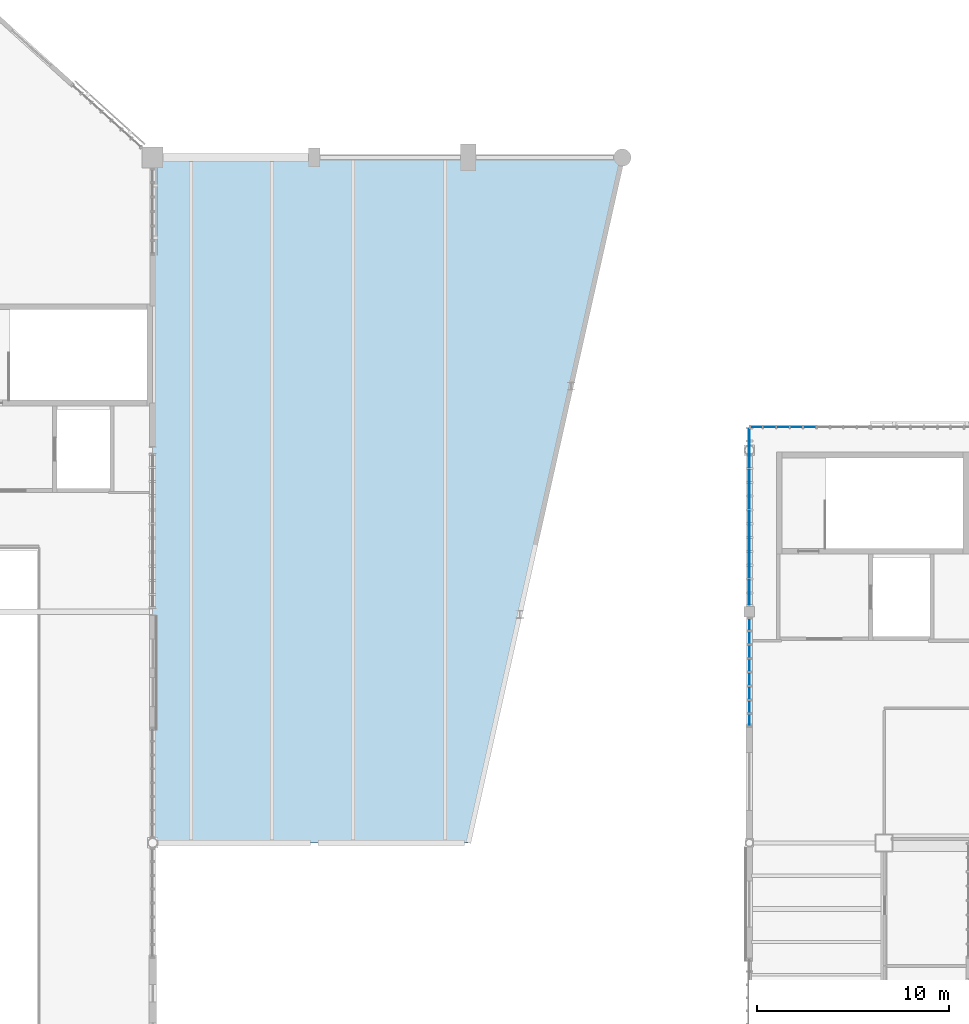
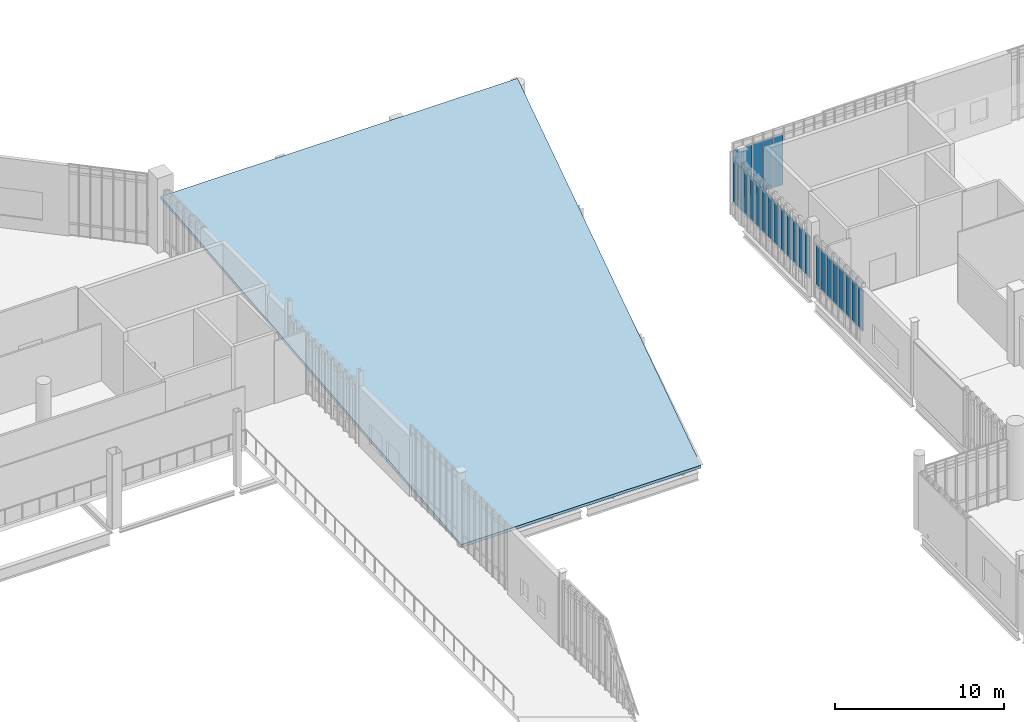
# One storey, part 83 of 135: 26 plates, 1 slab, 3 elements without a shape of their own.
"""IFC4 building model written with IfcOpenShell, lengths in metres."""

from ifc_helpers import new_model, si_unit, direction, frame, origin, origin_2d, place, context, subcontext, project, spatial, polyline, rectangle, outline, extrude, material, layer, layer_set, type_object, element, aggregate, save


model = new_model("IFC4")

# Units and contexts
model_context = context("Model", 3, precision=1e-05, world=origin(), true_north=direction((0.0, 1.0)))
body_context = subcontext(model_context, "Body", "Model", "MODEL_VIEW")
ifc_project = project(units=[si_unit("LENGTHUNIT", "METRE"), si_unit("AREAUNIT", "SQUARE_METRE"), si_unit("VOLUMEUNIT", "CUBIC_METRE"), si_unit("PLANEANGLEUNIT", "RADIAN"), si_unit("MASSUNIT", "GRAM", prefix="KILO")], contexts=[model_context])

# Site, building, storey
site_placement = place(None, origin())
site = spatial("IfcSite", under=ifc_project, at=site_placement, CompositionType="ELEMENT")
building_placement = place(site_placement, origin())
building = spatial("IfcBuilding", under=site, at=building_placement, Name="Larkvane Passage Sports Hall", CompositionType="ELEMENT")
storey_placement = place(building_placement, frame((0.0, 0.0, 16.800048828125)))
storey = spatial("IfcBuildingStorey", under=building, at=storey_placement, Name="L03", CompositionType="ELEMENT", Elevation=16.800048828125)

# Curtain wall, plates
ifc_material_1 = material(Name="Thermally broken aluminium and low-E glazing", Category="aluminium")
curtain_wall_type_1 = type_object("IfcCurtainWallType", Name="CW-UNIT-COURT", PredefinedType="USERDEFINED", material=ifc_material_1)
curtain_wall_1_placement = place(storey_placement, origin())
curtain_wall_1 = element("IfcCurtainWall", 1, at=curtain_wall_1_placement, inside=storey, type_object=curtain_wall_type_1, Name="Curtain wall CW5-L03-104", ObjectType="UNITISED CURTAIN WALL", PredefinedType="USERDEFINED")
ifc_material_2 = material(Name="Solar-control low-E double glazing", Category="glass")
ifc_layer_1 = layer(ifc_material_2, 0.028076171875)
ifc_layer_set_1 = layer_set([ifc_layer_1], Name="Solar-control low-E double glazing")
plate_type_1 = type_object("IfcPlateType", Name="CWP-VIS-28", PredefinedType="CURTAIN_PANEL", material=ifc_layer_set_1)
plate_1_placement = place(storey_placement, frame((124.96484375, 85.199951171875, 0.88232421875), z_axis=(0.0, 0.0, 1.0), x_axis=(1.0, 0.0, 0.0)))
plate_1 = element("IfcPlate", 2, at=plate_1_placement, type_object=plate_type_1, Name="CW-01 panel 1.2", PredefinedType="CURTAIN_PANEL", context=body_context, shape_type="SweptSolid", body=[
    extrude(rectangle(XDim=0.599609375, YDim=0.028076171875, at=origin_2d()), origin(), (0.0, 0.0, 1.0), 3.635009765625),
])
plate_2_placement = place(storey_placement, frame((125.645751953125, 85.199951171875, 0.88232421875), z_axis=(0.0, 0.0, 1.0), x_axis=(1.0, 0.0, 0.0)))
plate_2 = element("IfcPlate", 3, at=plate_2_placement, type_object=plate_type_1, Name="CW-01 panel 2.2", PredefinedType="CURTAIN_PANEL", context=body_context, shape_type="SweptSolid", body=[
    extrude(rectangle(XDim=0.63232421875, YDim=0.028076171875, at=origin_2d()), origin(), (0.0, 0.0, 1.0), 3.635009765625),
])
plate_3_placement = place(storey_placement, frame((126.343017578125, 85.199951171875, 0.88232421875), z_axis=(0.0, 0.0, 1.0), x_axis=(1.0, 0.0, 0.0)))
plate_3 = element("IfcPlate", 4, at=plate_3_placement, type_object=plate_type_1, Name="CW-01 panel 3.2", PredefinedType="CURTAIN_PANEL", context=body_context, shape_type="SweptSolid", body=[
    extrude(rectangle(XDim=0.63232421875, YDim=0.028076171875, at=origin_2d()), origin(), (0.0, 0.0, 1.0), 3.635009765625),
])
plate_4_placement = place(storey_placement, frame((127.040283203125, 85.199951171875, 0.88232421875), z_axis=(0.0, 0.0, 1.0), x_axis=(1.0, 0.0, 0.0)))
plate_4 = element("IfcPlate", 5, at=plate_4_placement, type_object=plate_type_1, Name="CW-01 panel 4.2", PredefinedType="CURTAIN_PANEL", context=body_context, shape_type="SweptSolid", body=[
    extrude(rectangle(XDim=0.63232421875, YDim=0.028076171875, at=origin_2d()), origin(), (0.0, 0.0, 1.0), 3.635009765625),
])
plate_5_placement = place(storey_placement, frame((127.737548828125, 85.199951171875, 0.88232421875), z_axis=(0.0, 0.0, 1.0), x_axis=(1.0, 0.0, 0.0)))
plate_5 = element("IfcPlate", 6, at=plate_5_placement, type_object=plate_type_1, Name="CW-01 panel 5.2", PredefinedType="CURTAIN_PANEL", context=body_context, shape_type="SweptSolid", body=[
    extrude(rectangle(XDim=0.63232421875, YDim=0.028076171875, at=origin_2d()), origin(), (0.0, 0.0, 1.0), 3.635009765625),
])
aggregate(curtain_wall_1, [plate_1, plate_2, plate_3, plate_4, plate_5])

curtain_wall_type_2 = type_object("IfcCurtainWallType", Name="CW-STICK-FOYER", PredefinedType="USERDEFINED", material=ifc_material_1)
curtain_wall_2_placement = place(storey_placement, origin())
curtain_wall_2 = element("IfcCurtainWall", 7, at=curtain_wall_2_placement, inside=storey, type_object=curtain_wall_type_2, Name="Curtain wall CW5-L03-102", ObjectType="STICK CURTAIN WALL", PredefinedType="USERDEFINED")
ifc_material_3 = material(Name="High-impact court low-E glazing", Category="glass")
ifc_layer_2 = layer(ifc_material_3, 0.035888671875)
ifc_layer_set_2 = layer_set([ifc_layer_2], Name="High-impact court low-E glazing")
plate_type_2 = type_object("IfcPlateType", Name="CWP-VIS-36", PredefinedType="CURTAIN_PANEL", material=ifc_layer_set_2)
plate_6_placement = place(storey_placement, frame((124.60009765625, 69.97802734375, 0.89013671875), z_axis=(0.0, 0.0, 1.0), x_axis=(0.0, 1.0, 0.0)))
plate_6 = element("IfcPlate", 8, at=plate_6_placement, type_object=plate_type_2, Name="CW-03 panel 1.2", PredefinedType="CURTAIN_PANEL", context=body_context, shape_type="SweptSolid", body=[
    extrude(rectangle(XDim=0.59619140625, YDim=0.035888671875, at=origin_2d()), origin(), (0.0, 0.0, 1.0), 2.927978515625),
])
plate_7_placement = place(storey_placement, frame((124.60009765625, 70.674072265625, 0.89013671875), z_axis=(0.0, 0.0, 1.0), x_axis=(0.0, 1.0, 0.0)))
plate_7 = element("IfcPlate", 9, at=plate_7_placement, type_object=plate_type_2, Name="CW-03 panel 2.2", PredefinedType="CURTAIN_PANEL", context=body_context, shape_type="SweptSolid", body=[
    extrude(rectangle(XDim=0.63623046875, YDim=0.035888671875, at=origin_2d()), origin(), (0.0, 0.0, 1.0), 2.927978515625),
])
plate_8_placement = place(storey_placement, frame((124.60009765625, 71.390380859375, 0.89013671875), z_axis=(0.0, 0.0, 1.0), x_axis=(0.0, 1.0, 0.0)))
plate_8 = element("IfcPlate", 10, at=plate_8_placement, type_object=plate_type_2, Name="CW-03 panel 3.2", PredefinedType="CURTAIN_PANEL", context=body_context, shape_type="SweptSolid", body=[
    extrude(rectangle(XDim=0.63623046875, YDim=0.035888671875, at=origin_2d()), origin(), (0.0, 0.0, 1.0), 2.927978515625),
])
plate_9_placement = place(storey_placement, frame((124.60009765625, 72.1064453125, 0.89013671875), z_axis=(0.0, 0.0, 1.0), x_axis=(0.0, 1.0, 0.0)))
plate_9 = element("IfcPlate", 11, at=plate_9_placement, type_object=plate_type_2, Name="CW-03 panel 4.2", PredefinedType="CURTAIN_PANEL", context=body_context, shape_type="SweptSolid", body=[
    extrude(rectangle(XDim=0.63623046875, YDim=0.035888671875, at=origin_2d()), origin(), (0.0, 0.0, 1.0), 2.927978515625),
])
plate_10_placement = place(storey_placement, frame((124.60009765625, 72.822509765625, 0.89013671875), z_axis=(0.0, 0.0, 1.0), x_axis=(0.0, 1.0, 0.0)))
plate_10 = element("IfcPlate", 12, at=plate_10_placement, type_object=plate_type_2, Name="CW-03 panel 5.2", PredefinedType="CURTAIN_PANEL", context=body_context, shape_type="SweptSolid", body=[
    extrude(rectangle(XDim=0.63623046875, YDim=0.035888671875, at=origin_2d()), origin(), (0.0, 0.0, 1.0), 2.927978515625),
])
plate_11_placement = place(storey_placement, frame((124.60009765625, 73.53857421875, 0.89013671875), z_axis=(0.0, 0.0, 1.0), x_axis=(0.0, 1.0, 0.0)))
plate_11 = element("IfcPlate", 13, at=plate_11_placement, type_object=plate_type_2, Name="CW-03 panel 6.2", PredefinedType="CURTAIN_PANEL", context=body_context, shape_type="SweptSolid", body=[
    extrude(rectangle(XDim=0.63623046875, YDim=0.035888671875, at=origin_2d()), origin(), (0.0, 0.0, 1.0), 2.927978515625),
])
plate_12_placement = place(storey_placement, frame((124.60009765625, 74.2548828125, 0.89013671875), z_axis=(0.0, 0.0, 1.0), x_axis=(0.0, 1.0, 0.0)))
plate_12 = element("IfcPlate", 14, at=plate_12_placement, type_object=plate_type_2, Name="CW-03 panel 7.2", PredefinedType="CURTAIN_PANEL", context=body_context, shape_type="SweptSolid", body=[
    extrude(rectangle(XDim=0.63623046875, YDim=0.035888671875, at=origin_2d()), origin(), (0.0, 0.0, 1.0), 2.927978515625),
])
plate_13_placement = place(storey_placement, frame((124.60009765625, 74.950927734375, 0.89013671875), z_axis=(0.0, 0.0, 1.0), x_axis=(0.0, 1.0, 0.0)))
plate_13 = element("IfcPlate", 15, at=plate_13_placement, type_object=plate_type_2, Name="CW-03 panel 8.2", PredefinedType="CURTAIN_PANEL", context=body_context, shape_type="SweptSolid", body=[
    extrude(rectangle(XDim=0.59619140625, YDim=0.035888671875, at=origin_2d()), origin(), (0.0, 0.0, 1.0), 2.927978515625),
])
aggregate(curtain_wall_2, [plate_6, plate_7, plate_8, plate_9, plate_10, plate_11, plate_12, plate_13])

curtain_wall_type_3 = type_object("IfcCurtainWallType", Name="CW-CLINIC", PredefinedType="USERDEFINED", material=ifc_material_1)
curtain_wall_3_placement = place(storey_placement, origin())
curtain_wall_3 = element("IfcCurtainWall", 16, at=curtain_wall_3_placement, inside=storey, type_object=curtain_wall_type_3, Name="Curtain wall CW5-L03-103", ObjectType="UNITISED CURTAIN WALL", PredefinedType="USERDEFINED")
ifc_material_4 = material(Name="Triple-laminated typhoon glazing", Category="glass")
ifc_layer_3 = layer(ifc_material_4, 0.0419921875)
ifc_layer_set_3 = layer_set([ifc_layer_3], Name="Triple-laminated typhoon glazing")
plate_type_3 = type_object("IfcPlateType", Name="CWP-VIS-42", PredefinedType="CURTAIN_PANEL", material=ifc_layer_set_3)
plate_14_placement = place(storey_placement, frame((124.60009765625, 76.25732421875, 0.90478515625), z_axis=(0.0, 0.0, 1.0), x_axis=(0.0, 1.0, 0.0)))
plate_14 = element("IfcPlate", 17, at=plate_14_placement, type_object=plate_type_3, Name="CW-05 panel 1.2", PredefinedType="CURTAIN_PANEL", context=body_context, shape_type="SweptSolid", body=[
    extrude(rectangle(XDim=0.552734375, YDim=0.0419921875, at=origin_2d()), origin(), (0.0, 0.0, 1.0), 3.05810546875),
])
plate_15_placement = place(storey_placement, frame((124.60009765625, 76.947509765625, 0.90478515625), z_axis=(0.0, 0.0, 1.0), x_axis=(0.0, 1.0, 0.0)))
plate_15 = element("IfcPlate", 18, at=plate_15_placement, type_object=plate_type_3, Name="CW-05 panel 2.2", PredefinedType="CURTAIN_PANEL", context=body_context, shape_type="SweptSolid", body=[
    extrude(rectangle(XDim=0.607666015625, YDim=0.0419921875, at=origin_2d()), origin(), (0.0, 0.0, 1.0), 3.05810546875),
])
plate_16_placement = place(storey_placement, frame((124.60009765625, 77.6650390625, 0.90478515625), z_axis=(0.0, 0.0, 1.0), x_axis=(0.0, 1.0, 0.0)))
plate_16 = element("IfcPlate", 19, at=plate_16_placement, type_object=plate_type_3, Name="CW-05 panel 3.2", PredefinedType="CURTAIN_PANEL", context=body_context, shape_type="SweptSolid", body=[
    extrude(rectangle(XDim=0.607666015625, YDim=0.0419921875, at=origin_2d()), origin(), (0.0, 0.0, 1.0), 3.05810546875),
])
plate_17_placement = place(storey_placement, frame((124.60009765625, 78.382568359375, 0.90478515625), z_axis=(0.0, 0.0, 1.0), x_axis=(0.0, 1.0, 0.0)))
plate_17 = element("IfcPlate", 20, at=plate_17_placement, type_object=plate_type_3, Name="CW-05 panel 4.2", PredefinedType="CURTAIN_PANEL", context=body_context, shape_type="SweptSolid", body=[
    extrude(rectangle(XDim=0.607666015625, YDim=0.0419921875, at=origin_2d()), origin(), (0.0, 0.0, 1.0), 3.05810546875),
])
plate_18_placement = place(storey_placement, frame((124.60009765625, 79.100341796875, 0.90478515625), z_axis=(0.0, 0.0, 1.0), x_axis=(0.0, 1.0, 0.0)))
plate_18 = element("IfcPlate", 21, at=plate_18_placement, type_object=plate_type_3, Name="CW-05 panel 5.2", PredefinedType="CURTAIN_PANEL", context=body_context, shape_type="SweptSolid", body=[
    extrude(rectangle(XDim=0.607666015625, YDim=0.0419921875, at=origin_2d()), origin(), (0.0, 0.0, 1.0), 3.05810546875),
])
plate_19_placement = place(storey_placement, frame((124.60009765625, 79.81787109375, 0.90478515625), z_axis=(0.0, 0.0, 1.0), x_axis=(0.0, 1.0, 0.0)))
plate_19 = element("IfcPlate", 22, at=plate_19_placement, type_object=plate_type_3, Name="CW-05 panel 6.2", PredefinedType="CURTAIN_PANEL", context=body_context, shape_type="SweptSolid", body=[
    extrude(rectangle(XDim=0.607666015625, YDim=0.0419921875, at=origin_2d()), origin(), (0.0, 0.0, 1.0), 3.05810546875),
])
plate_20_placement = place(storey_placement, frame((124.60009765625, 80.535400390625, 0.90478515625), z_axis=(0.0, 0.0, 1.0), x_axis=(0.0, 1.0, 0.0)))
plate_20 = element("IfcPlate", 23, at=plate_20_placement, type_object=plate_type_3, Name="CW-05 panel 7.2", PredefinedType="CURTAIN_PANEL", context=body_context, shape_type="SweptSolid", body=[
    extrude(rectangle(XDim=0.607666015625, YDim=0.0419921875, at=origin_2d()), origin(), (0.0, 0.0, 1.0), 3.05810546875),
])
plate_21_placement = place(storey_placement, frame((124.60009765625, 81.253173828125, 0.90478515625), z_axis=(0.0, 0.0, 1.0), x_axis=(0.0, 1.0, 0.0)))
plate_21 = element("IfcPlate", 24, at=plate_21_placement, type_object=plate_type_3, Name="CW-05 panel 8.2", PredefinedType="CURTAIN_PANEL", context=body_context, shape_type="SweptSolid", body=[
    extrude(rectangle(XDim=0.607666015625, YDim=0.0419921875, at=origin_2d()), origin(), (0.0, 0.0, 1.0), 3.05810546875),
])
plate_22_placement = place(storey_placement, frame((124.60009765625, 81.970703125, 0.90478515625), z_axis=(0.0, 0.0, 1.0), x_axis=(0.0, 1.0, 0.0)))
plate_22 = element("IfcPlate", 25, at=plate_22_placement, type_object=plate_type_3, Name="CW-05 panel 9.2", PredefinedType="CURTAIN_PANEL", context=body_context, shape_type="SweptSolid", body=[
    extrude(rectangle(XDim=0.607666015625, YDim=0.0419921875, at=origin_2d()), origin(), (0.0, 0.0, 1.0), 3.05810546875),
])
plate_23_placement = place(storey_placement, frame((124.60009765625, 82.688232421875, 0.90478515625), z_axis=(0.0, 0.0, 1.0), x_axis=(0.0, 1.0, 0.0)))
plate_23 = element("IfcPlate", 26, at=plate_23_placement, type_object=plate_type_3, Name="CW-05 panel 10.2", PredefinedType="CURTAIN_PANEL", context=body_context, shape_type="SweptSolid", body=[
    extrude(rectangle(XDim=0.607666015625, YDim=0.0419921875, at=origin_2d()), origin(), (0.0, 0.0, 1.0), 3.05810546875),
])
plate_24_placement = place(storey_placement, frame((124.60009765625, 83.406005859375, 0.90478515625), z_axis=(0.0, 0.0, 1.0), x_axis=(0.0, 1.0, 0.0)))
plate_24 = element("IfcPlate", 27, at=plate_24_placement, type_object=plate_type_3, Name="CW-05 panel 11.2", PredefinedType="CURTAIN_PANEL", context=body_context, shape_type="SweptSolid", body=[
    extrude(rectangle(XDim=0.607666015625, YDim=0.0419921875, at=origin_2d()), origin(), (0.0, 0.0, 1.0), 3.05810546875),
])
plate_25_placement = place(storey_placement, frame((124.60009765625, 84.12353515625, 0.90478515625), z_axis=(0.0, 0.0, 1.0), x_axis=(0.0, 1.0, 0.0)))
plate_25 = element("IfcPlate", 28, at=plate_25_placement, type_object=plate_type_3, Name="CW-05 panel 12.2", PredefinedType="CURTAIN_PANEL", context=body_context, shape_type="SweptSolid", body=[
    extrude(rectangle(XDim=0.607666015625, YDim=0.0419921875, at=origin_2d()), origin(), (0.0, 0.0, 1.0), 3.05810546875),
])
plate_26_placement = place(storey_placement, frame((124.60009765625, 84.813720703125, 0.90478515625), z_axis=(0.0, 0.0, 1.0), x_axis=(0.0, 1.0, 0.0)))
plate_26 = element("IfcPlate", 29, at=plate_26_placement, type_object=plate_type_3, Name="CW-05 panel 13.2", PredefinedType="CURTAIN_PANEL", context=body_context, shape_type="SweptSolid", body=[
    extrude(rectangle(XDim=0.552734375, YDim=0.0419921875, at=origin_2d()), origin(), (0.0, 0.0, 1.0), 3.05810546875),
])
aggregate(curtain_wall_3, [plate_14, plate_15, plate_16, plate_17, plate_18, plate_19, plate_20, plate_21, plate_22, plate_23, plate_24, plate_25, plate_26])

# Slab
ifc_material_5 = material(Name="Precast concrete C45/55", Category="concrete")
ifc_layer_4 = layer(ifc_material_5, 0.219970703125)
ifc_layer_set_4 = layer_set([ifc_layer_4], Name="Precast concrete C45/55")
slab_type = type_object("IfcSlabType", Name="SLB-FRP-220", PredefinedType="ROOF", material=ifc_layer_set_4)
slab_placement = place(storey_placement, frame((93.60009765625, 63.60009765625, 0.0), z_axis=(0.0, -0.100606840829, 0.994926260372), x_axis=(1.0, 0.0, 0.0)))
element("IfcSlab", 30, at=slab_placement, inside=storey, type_object=slab_type, Name="Climbing wedge tilted mono-fold roof plate", PredefinedType="ROOF", context=body_context, shape_type="SweptSolid", body=[
    extrude(outline(polyline([(0.0, 0.0), (16.39990234375, 0.0), (24.39990234375, 35.78139901775663), (0.0, 35.78139901775663), (0.0, 0.0)])), origin(), (0.0, 0.0, -1.0), 0.219970703125),
])

save(model, "model.ifc")
